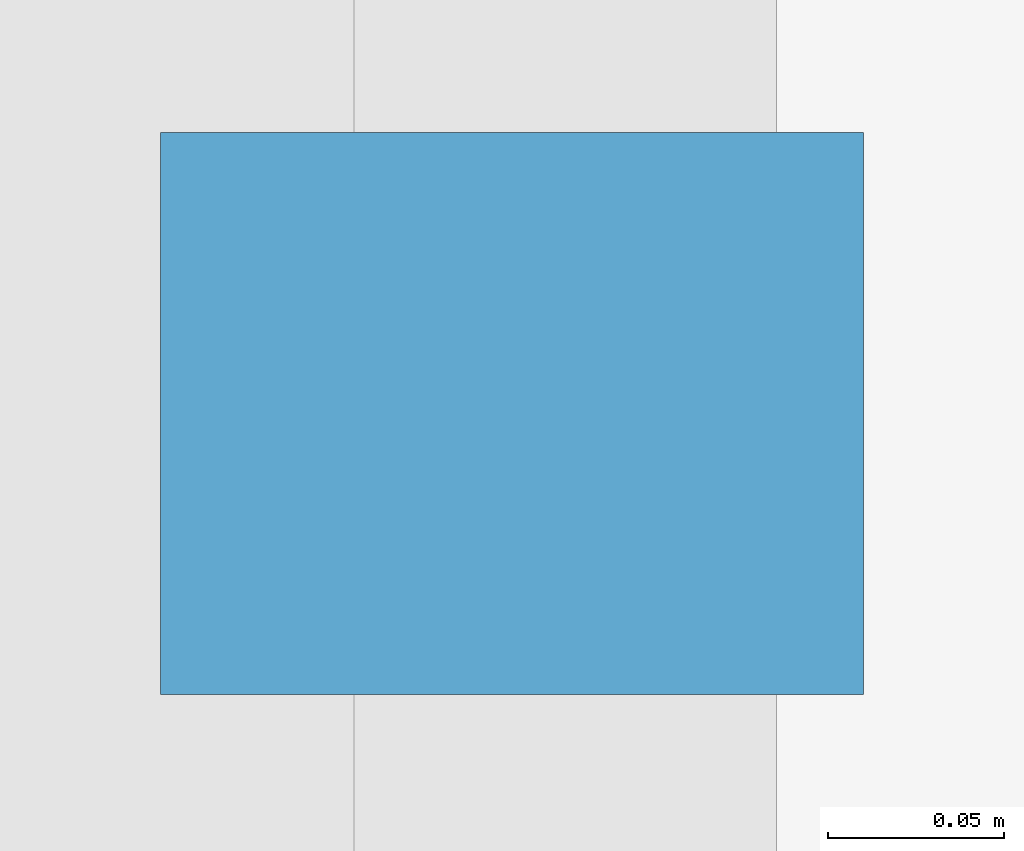
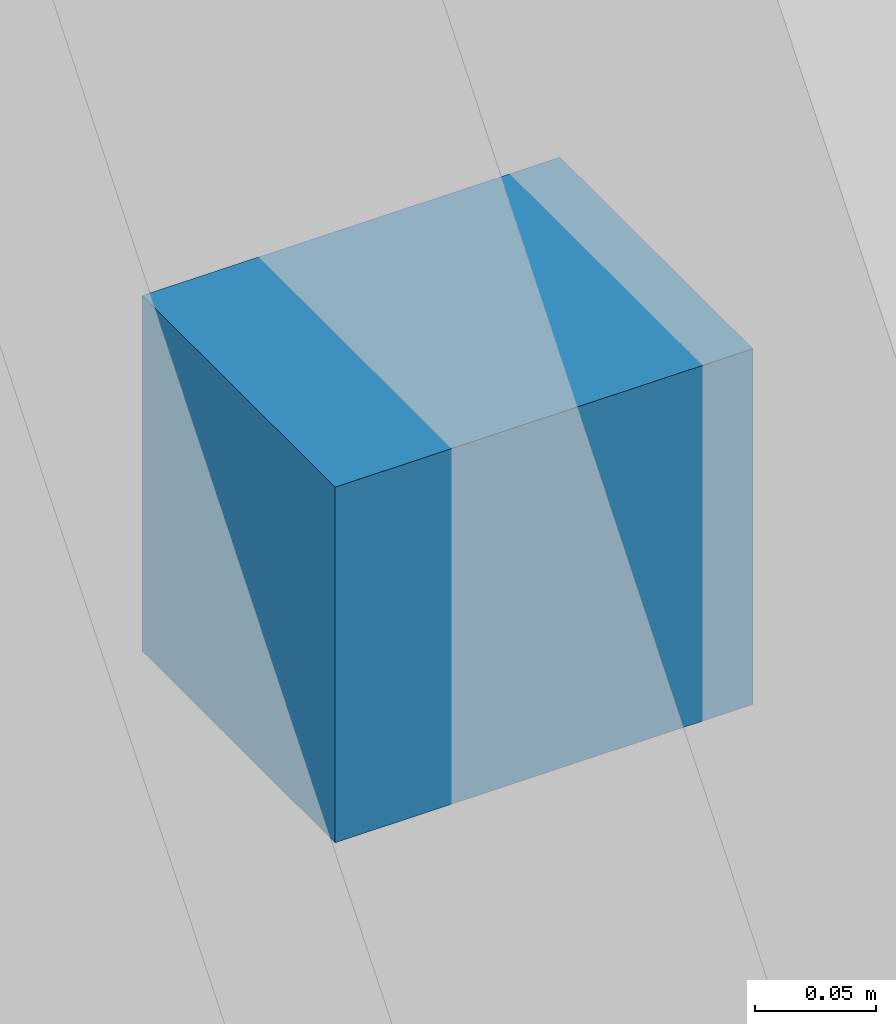
# One storey, part 17 of 21: 1 discrete accessory.
"""IFC4 building model written with IfcOpenShell, lengths in metres."""

from ifc_helpers import new_model, si_unit, direction, frame, origin, origin_2d, place, context, subcontext, project, spatial, rectangle, extrude, material, type_object, element, save


model = new_model("IFC4")

# Units and contexts
model_context = context("Model", 3, precision=1e-05, world=origin(), true_north=direction((0.0, 1.0)))
body_context = subcontext(model_context, "Body", "Model", "MODEL_VIEW")
ifc_project = project(units=[si_unit("LENGTHUNIT", "METRE"), si_unit("AREAUNIT", "SQUARE_METRE"), si_unit("VOLUMEUNIT", "CUBIC_METRE"), si_unit("PLANEANGLEUNIT", "RADIAN"), si_unit("MASSUNIT", "GRAM", prefix="KILO")], contexts=[model_context])

# Site, building, storey
site_placement = place(None, origin())
site = spatial("IfcSite", under=ifc_project, at=site_placement, CompositionType="ELEMENT")
building_placement = place(site_placement, origin())
building = spatial("IfcBuilding", under=site, at=building_placement, Name="Koriwani Terraces Tower", CompositionType="ELEMENT")
storey_placement = place(building_placement, frame((0.0, 0.0, 224.0)))
storey = spatial("IfcBuildingStorey", under=building, at=storey_placement, Name="L55", CompositionType="ELEMENT", Elevation=224.0)

# Discrete accessory
ifc_material = material(Name="Steel ASTM A572 Grade 50", Category="steel")
discrete_accessory_type = type_object("IfcDiscreteAccessoryType", Name="BAGUETTE_STANDOFF_BRACKET", PredefinedType="BRACKET", material=ifc_material)
discrete_accessory_placement = place(storey_placement, frame((0.389892578125, 37.800048828125, 1.78515625), z_axis=(0.0, 0.0, 1.0), x_axis=(0.0, 1.0, 0.0)))
element("IfcDiscreteAccessory", 1, at=discrete_accessory_placement, inside=storey, type_object=discrete_accessory_type, Name="L55 Terracotta Baguette Bracket (W-12)", PredefinedType="BRACKET", context=body_context, shape_type="SweptSolid", body=[
    extrude(rectangle(XDim=0.159912109375, YDim=0.199951171875, at=origin_2d()), origin(), (0.0, 0.0, 1.0), 0.179931640625),
])

save(model, "model.ifc")
